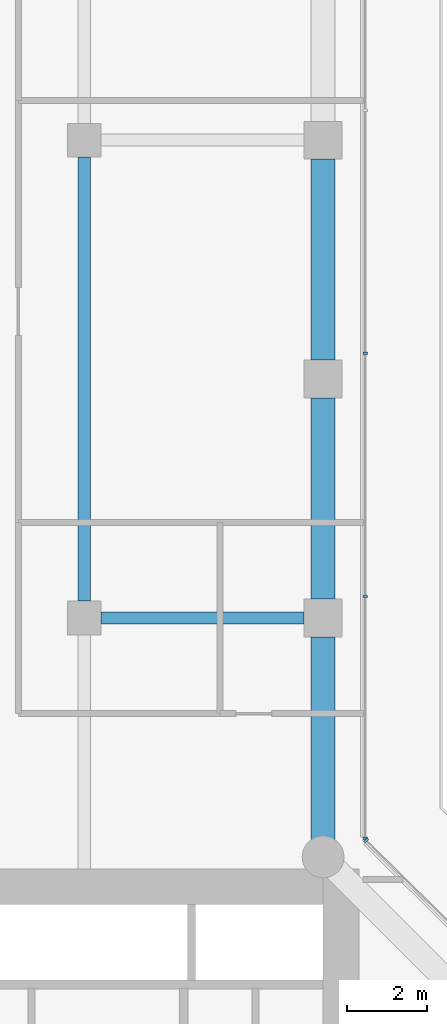
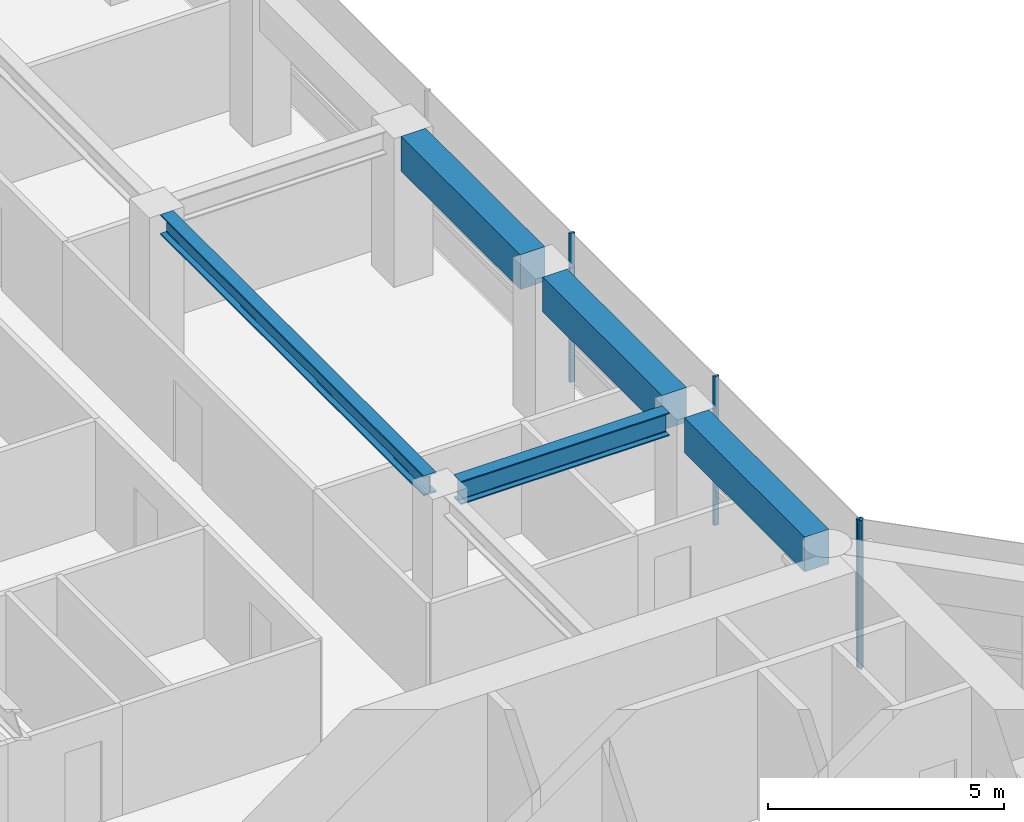
# One storey, part 13 of 28: 5 beams, 4 members, 2 elements without a shape of their own.
"""IFC4 building model written with IfcOpenShell, lengths in metres."""

import ifcopenshell
import ifcopenshell.guid

model = None  # the IFC model being written
_history = None  # IfcOwnerHistory: only IFC2X3 demands one
_inside = {}  # id of a spatial element -> (the spatial element, [elements in it])
_under = {}  # id of a project, library or spatial element -> (it, [spatial elements below it])
_declared = {}  # id of a project -> (the project, [libraries it declares])
_typed = {}  # id of a type object -> (the type object, [elements of that type])
_made_of = {}  # id of a material, layer set ... -> (it, [elements and type objects made of it])


def new_model(schema):
    """Start an empty IFC model of exactly this schema.

    Asked for "IFC4X3", IfcOpenShell would pick the latest addendum, in which some entities
    have other attributes; the version numbers below select the first issue.
    IFC2X3 requires an IfcOwnerHistory on every rooted entity: one is made here for all.
    """
    global model, _history
    if schema == "IFC4X3":
        model = ifcopenshell.file(schema_version=(4, 3, 0, 0))
    else:
        model = ifcopenshell.file(schema=schema)
    _inside.clear()
    _under.clear()
    _declared.clear()
    _typed.clear()
    _made_of.clear()
    _history = None
    if model.schema == "IFC2X3":
        org = make("IfcOrganization", Name="unknown")
        user = make(
            "IfcPersonAndOrganization",
            ThePerson=make("IfcPerson", FamilyName="unknown"),
            TheOrganization=org,
        )
        app = make(
            "IfcApplication",
            ApplicationDeveloper=org,
            Version="unknown",
            ApplicationFullName="unknown",
            ApplicationIdentifier="unknown",
        )
        _history = make(
            "IfcOwnerHistory",
            OwningUser=user,
            OwningApplication=app,
            ChangeAction="ADDED",
            CreationDate=0,
        )
    return model


def make(cls, **values):
    """One entity of the class cls with the attributes given. An attribute that is None is left unset."""
    return model.create_entity(
        cls, **{name: value for name, value in values.items() if value is not None}
    )


def rooted(cls, **values):
    """An entity with a GlobalId (a new one), such as an element, a storey or a relation."""
    return make(cls, GlobalId=ifcopenshell.guid.new(), OwnerHistory=_history, **values)


def si_unit(unit_type, name, prefix=None):
    """IfcSIUnit, for example si_unit("LENGTHUNIT", "METRE", prefix="MILLI")."""
    return make("IfcSIUnit", UnitType=unit_type, Prefix=prefix, Name=name)


def assignment(units):
    """IfcUnitAssignment: the units of a project."""
    return None if units is None else make("IfcUnitAssignment", Units=units)


def point(xyz):
    """IfcCartesianPoint."""
    return None if xyz is None else make("IfcCartesianPoint", Coordinates=xyz)


def direction(xyz):
    """IfcDirection."""
    return None if xyz is None else make("IfcDirection", DirectionRatios=xyz)


def frame(location, z_axis=None, x_axis=None):
    """IfcAxis2Placement3D, a coordinate frame: its origin and axes. An axis left out is left unset."""
    return make(
        "IfcAxis2Placement3D",
        Location=point(location),
        Axis=direction(z_axis),
        RefDirection=direction(x_axis),
    )


def frame_2d(location, x_axis=None):
    """IfcAxis2Placement2D, a coordinate frame in the plane: its origin and x axis."""
    return make(
        "IfcAxis2Placement2D", Location=point(location), RefDirection=direction(x_axis)
    )


def origin():
    """The frame at (0, 0, 0) with its axes left unset."""
    return frame((0.0, 0.0, 0.0))


def origin_2d():
    """The frame at (0, 0) in the plane with its x axis left unset."""
    return frame_2d((0.0, 0.0))


def place(relative_to, where):
    """IfcLocalPlacement: puts the frame where relative to a parent placement (None: the world)."""
    return make(
        "IfcLocalPlacement", PlacementRelTo=relative_to, RelativePlacement=where
    )


def context(
    kind, dimensions, precision=None, world=None, true_north=None, identifier=None
):
    """IfcGeometricRepresentationContext, for example the 3D "Model" context."""
    return make(
        "IfcGeometricRepresentationContext",
        ContextIdentifier=identifier,
        ContextType=kind,
        CoordinateSpaceDimension=dimensions,
        Precision=precision,
        WorldCoordinateSystem=world,
        TrueNorth=true_north,
    )


def subcontext(parent, identifier, kind, view, scale=None):
    """IfcGeometricRepresentationSubContext, for example "Body" below "Model"."""
    return make(
        "IfcGeometricRepresentationSubContext",
        ContextIdentifier=identifier,
        ContextType=kind,
        ParentContext=parent,
        TargetScale=scale,
        TargetView=view,
    )


def project(units=None, contexts=None):
    """IfcProject with its units and contexts."""
    return rooted(
        "IfcProject",
        Name="project",
        RepresentationContexts=contexts,
        UnitsInContext=assignment(units),
    )


def spatial(cls, under=None, at=None, **own):
    """A site, building, storey or space (cls), placed at a placement, below another one or the project."""
    s = rooted(cls, ObjectPlacement=at, **own)
    if under is not None:
        _under.setdefault(under.id(), (under, []))[1].append(s)
    return s


def profile(cls, at=None, kind="AREA", **sizes):
    """A parametric profile (cls). Its sizes go by their IFC names, for example OverallWidth=200.0."""
    return make(cls, ProfileType=kind, Position=at, **sizes)


def rectangle(**sizes):
    """IfcRectangleProfileDef."""
    return profile("IfcRectangleProfileDef", **sizes)


def i_section(**sizes):
    """IfcIShapeProfileDef."""
    return profile("IfcIShapeProfileDef", **sizes)


def extrude(swept, where, along, depth):
    """IfcExtrudedAreaSolid: the profile swept, set in the frame where, extruded along a direction by depth."""
    return make(
        "IfcExtrudedAreaSolid",
        SweptArea=swept,
        Position=where,
        ExtrudedDirection=direction(along),
        Depth=depth,
    )


def shape(context_of_items, identifier, shape_type, items):
    """IfcShapeRepresentation: the items that make up one representation, for example the "Body"."""
    return make(
        "IfcShapeRepresentation",
        ContextOfItems=context_of_items,
        RepresentationIdentifier=identifier,
        RepresentationType=shape_type,
        Items=items,
    )


def material(Name=None, Category=None):
    """IfcMaterial."""
    return make("IfcMaterial", Name=Name, Category=Category)


def layer(
    of_material, thickness, ventilated=None, Name=None, Category=None, Priority=None
):
    """IfcMaterialLayer: one layer of a wall or slab, of a material (None: an air gap)."""
    return make(
        "IfcMaterialLayer",
        Material=of_material,
        LayerThickness=thickness,
        IsVentilated=ventilated,
        Name=Name,
        Category=Category,
        Priority=Priority,
    )


def layer_set(layers, Name=None):
    """IfcMaterialLayerSet."""
    return make("IfcMaterialLayerSet", MaterialLayers=layers, LayerSetName=Name)


def material_profile(
    of_material, cross_section, Name=None, Category=None, Priority=None
):
    """IfcMaterialProfile: a cross section and its material."""
    return make(
        "IfcMaterialProfile",
        Name=Name,
        Material=of_material,
        Profile=cross_section,
        Priority=Priority,
        Category=Category,
    )


def profile_set(profiles, Name=None, composite=None):
    """IfcMaterialProfileSet."""
    return make(
        "IfcMaterialProfileSet",
        Name=Name,
        MaterialProfiles=profiles,
        CompositeProfile=composite,
    )


def made_of(thing, what):
    """Note that an element or type object is made of a material, layer set ...; save() writes the relation."""
    if what is not None:
        _made_of.setdefault(what.id(), (what, []))[1].append(thing)
    return thing


def type_object(cls, material=None, **own):
    """A type object (cls), such as IfcWallType, which elements share."""
    return made_of(rooted(cls, **own), material)


def element(
    cls,
    number,
    at=None,
    inside=None,
    cuts=None,
    type_object=None,
    material=None,
    context=None,
    identifier="Body",
    shape_type=None,
    held_by="IfcProductDefinitionShape",
    body=None,
    shapes=None,
    **own,
):
    """One element of the class cls, such as IfcWall. Its Tag is "e" and its number.

    at: its placement. inside: the storey or other place that contains it. cuts: it is an
    opening in that element (IfcRelVoidsElement). A single representation is given by context,
    identifier, shape_type and body (its items); several are given by shapes. held_by: the class
    of the entity that holds the representations. save() writes the other relations.
    """
    e = rooted(cls, Tag="e%d" % number, ObjectPlacement=at, **own)
    if body is not None:
        shapes = [shape(context, identifier, shape_type, body)]
    if shapes is not None:
        e.Representation = make(held_by, Representations=shapes)
    if inside is not None:
        _inside.setdefault(inside.id(), (inside, []))[1].append(e)
    if cuts is not None:
        rooted(
            "IfcRelVoidsElement", RelatingBuildingElement=cuts, RelatedOpeningElement=e
        )
    if type_object is not None:
        _typed.setdefault(type_object.id(), (type_object, []))[1].append(e)
    return made_of(e, material)


def aggregate(whole, parts):
    """IfcRelAggregates: a whole, such as a stair, and the parts it consists of."""
    return rooted("IfcRelAggregates", RelatingObject=whole, RelatedObjects=parts)


def save(model, path):
    """Write the relations noted so far, then the file.

    IfcRelAggregates (storeys below a building ...), IfcRelContainedInSpatialStructure (elements
    in a storey), IfcRelDefinesByType, IfcRelAssociatesMaterial and IfcRelDeclares: one each for
    every whole, place, type object, material and project.
    """
    for whole, parts in _under.values():
        aggregate(whole, parts)
    for where, things in _inside.values():
        rooted(
            "IfcRelContainedInSpatialStructure",
            RelatedElements=things,
            RelatingStructure=where,
        )
    for kind, things in _typed.values():
        rooted("IfcRelDefinesByType", RelatedObjects=things, RelatingType=kind)
    for what, things in _made_of.values():
        rooted("IfcRelAssociatesMaterial", RelatedObjects=things, RelatingMaterial=what)
    for by, libraries in _declared.values():
        rooted("IfcRelDeclares", RelatingContext=by, RelatedDefinitions=libraries)
    model.write(path)


model = new_model("IFC4")

# Units and contexts
model_context = context("Model", 3, precision=1e-05, world=origin(), true_north=direction((0.0, 1.0)))
body_context = subcontext(model_context, "Body", "Model", "MODEL_VIEW")
ifc_project = project(units=[si_unit("LENGTHUNIT", "METRE"), si_unit("AREAUNIT", "SQUARE_METRE"), si_unit("VOLUMEUNIT", "CUBIC_METRE"), si_unit("PLANEANGLEUNIT", "RADIAN"), si_unit("MASSUNIT", "GRAM", prefix="KILO")], contexts=[model_context])

# Site, building, storey
site_placement = place(None, origin())
site = spatial("IfcSite", under=ifc_project, at=site_placement, CompositionType="ELEMENT")
building_placement = place(site_placement, origin())
building = spatial("IfcBuilding", under=site, at=building_placement, Name="Welwitschia Terrace Campus", CompositionType="ELEMENT")
storey_placement = place(building_placement, frame((0.0, 0.0, 54.199951171875)))
storey = spatial("IfcBuildingStorey", under=building, at=storey_placement, Name="L12", CompositionType="ELEMENT", Elevation=54.199951171875)

# Beam
ifc_material_1 = material(Name="Steel S355", Category="steel")
ifc_material_profile_1 = material_profile(ifc_material_1, i_section(OverallWidth=0.305908203125, OverallDepth=0.52392578125, WebThickness=0.02099609375, FlangeThickness=0.0400390625, FilletRadius=0.027099609375, at=origin_2d()))
ifc_profile_set_1 = profile_set([ifc_material_profile_1], Name="Steel S355")
beam_type_1 = type_object("IfcBeamType", Name="Interior girder HE 500 M", PredefinedType="BEAM", material=ifc_profile_set_1)
beam_1_placement = place(storey_placement, frame((18.0, 32.425537109375, 3.588134765625), z_axis=(0.0, 1.0, 0.0), x_axis=(-1.0, 0.0, 0.0)))
element("IfcBeam", 1, at=beam_1_placement, inside=storey, type_object=beam_type_1, Name="Girder GB2", PredefinedType="BEAM", context=body_context, shape_type="SweptSolid", body=[
    extrude(i_section(OverallWidth=0.305908203125, OverallDepth=0.52392578125, WebThickness=0.02099609375, FlangeThickness=0.0400390625, FilletRadius=0.027099609375, at=origin_2d()), origin(), (0.0, 0.0, 1.0), 11.14892578125),
])

# Curtain wall, member
ifc_material_2 = material(Name="Bronze anodised aluminium", Category="aluminium")
ifc_layer = layer(ifc_material_2, 0.1201171875)
ifc_layer_set = layer_set([ifc_layer], Name="Bronze anodised aluminium")
curtain_wall_type = type_object("IfcCurtainWallType", Name="Curtain wall CW2 tower 6000", PredefinedType="NOTDEFINED", material=ifc_layer_set)
curtain_wall_1_placement = place(storey_placement, origin())
curtain_wall_1 = element("IfcCurtainWall", 2, at=curtain_wall_1_placement, inside=storey, type_object=curtain_wall_type, Name="CW L12.9.0", PredefinedType="NOTDEFINED")
ifc_material_3 = material(Name="Bronze anodised aluminium", Category="aluminium")
ifc_material_profile_2 = material_profile(ifc_material_3, rectangle(XDim=0.1201171875, YDim=0.06005859375, at=origin_2d()))
ifc_profile_set_2 = profile_set([ifc_material_profile_2], Name="Bronze anodised aluminium")
member_type = type_object("IfcMemberType", Name="Mullion 60x120", PredefinedType="MULLION", material=ifc_profile_set_2)
member_1_placement = place(storey_placement, frame((25.079345703125, 26.417236328125, 0.0), z_axis=(0.0, 0.0, 1.0), x_axis=(-0.70343270975, -0.710761860861, 0.0)))
member_1 = element("IfcMember", 3, at=member_1_placement, type_object=member_type, Name="Mullion L12.9.0.1", PredefinedType="MULLION", context=body_context, shape_type="SweptSolid", body=[
    extrude(rectangle(XDim=0.1201171875, YDim=0.06005859375, at=origin_2d()), origin(), (0.0, 0.0, 1.0), 3.85009765625),
])
aggregate(curtain_wall_1, [member_1])

# Curtain wall, members
curtain_wall_2_placement = place(storey_placement, origin())
curtain_wall_2 = element("IfcCurtainWall", 4, at=curtain_wall_2_placement, inside=storey, type_object=curtain_wall_type, Name="CW L12.10.0", PredefinedType="NOTDEFINED")
member_2_placement = place(storey_placement, frame((25.05810546875, 26.468505859375, 0.0), z_axis=(0.0, 0.0, 1.0), x_axis=(-1.0, 0.0, 0.0)))
member_2 = element("IfcMember", 5, at=member_2_placement, type_object=member_type, Name="Mullion L12.10.0.0", PredefinedType="MULLION", context=body_context, shape_type="SweptSolid", body=[
    extrude(rectangle(XDim=0.1201171875, YDim=0.06005859375, at=origin_2d()), origin(), (0.0, 0.0, 1.0), 3.85009765625),
])
member_3_placement = place(storey_placement, frame((25.05810546875, 32.541748046875, 0.0), z_axis=(0.0, 0.0, 1.0), x_axis=(-1.0, 0.0, 0.0)))
member_3 = element("IfcMember", 6, at=member_3_placement, type_object=member_type, Name="Mullion L12.10.0.1", PredefinedType="MULLION", context=body_context, shape_type="SweptSolid", body=[
    extrude(rectangle(XDim=0.1201171875, YDim=0.06005859375, at=origin_2d()), origin(), (0.0, 0.0, 1.0), 3.85009765625),
])
member_4_placement = place(storey_placement, frame((25.05810546875, 38.64501953125, 0.0), z_axis=(0.0, 0.0, 1.0), x_axis=(-1.0, 0.0, 0.0)))
member_4 = element("IfcMember", 7, at=member_4_placement, type_object=member_type, Name="Mullion L12.10.0.2", PredefinedType="MULLION", context=body_context, shape_type="SweptSolid", body=[
    extrude(rectangle(XDim=0.1201171875, YDim=0.06005859375, at=origin_2d()), origin(), (0.0, 0.0, 1.0), 3.85009765625),
])
aggregate(curtain_wall_2, [member_2, member_3, member_4])

# Beams
ifc_material_4 = material(Name="Steel S355", Category="steel")
ifc_material_profile_3 = material_profile(ifc_material_4, i_section(OverallWidth=0.300048828125, OverallDepth=0.60009765625, WebThickness=0.015380859375, FlangeThickness=0.030029296875, FilletRadius=0.027099609375, at=origin_2d()))
ifc_profile_set_3 = profile_set([ifc_material_profile_3], Name="Steel S355")
beam_type_2 = type_object("IfcBeamType", Name="Primary beam HE 600 B", PredefinedType="BEAM", material=ifc_profile_set_3)
beam_2_placement = place(storey_placement, frame((23.5244140625, 32.0, 3.550048828125), z_axis=(-1.0, 0.0, 0.0), x_axis=(0.0, -1.0, 0.0)))
element("IfcBeam", 8, at=beam_2_placement, inside=storey, type_object=beam_type_2, Name="Primary beam PB2", PredefinedType="BEAM", context=body_context, shape_type="SweptSolid", body=[
    extrude(i_section(OverallWidth=0.300048828125, OverallDepth=0.60009765625, WebThickness=0.015380859375, FlangeThickness=0.030029296875, FilletRadius=0.027099609375, at=origin_2d()), origin(), (0.0, 0.0, 1.0), 5.098876953125),
])
ifc_material_5 = material(Name="Concrete C60/75", Category="concrete")
ifc_material_profile_4 = material_profile(ifc_material_5, rectangle(XDim=0.60009765625, YDim=0.89990234375, at=origin_2d()))
ifc_profile_set_4 = profile_set([ifc_material_profile_4], Name="Concrete C60/75")
beam_type_3 = type_object("IfcBeamType", Name="Ring spandrel 600x900", PredefinedType="SPANDREL", material=ifc_profile_set_4)
beam_3_placement = place(storey_placement, frame((24.0, 26.431396484375, 3.400146484375), z_axis=(0.0, 1.0, 0.0), x_axis=(-1.0, 0.0, 0.0)))
element("IfcBeam", 9, at=beam_3_placement, inside=storey, type_object=beam_type_3, Name="Spandrel SP2", PredefinedType="SPANDREL", context=body_context, shape_type="SweptSolid", body=[
    extrude(rectangle(XDim=0.60009765625, YDim=0.89990234375, at=origin_2d()), origin(), (0.0, 0.0, 1.0), 5.093017578125),
])
for number, where, z_axis, x_axis, name in (
    (10, (24.0, 32.4755859375, 3.400146484375), (0.0, 1.0, 0.0), (-1.0, 0.0, 0.0), "Spandrel SP2"),
    (11, (24.0, 38.4755859375, 3.400146484375), (0.0, 1.0, 0.0), (-1.0, 0.0, 0.0), "Spandrel SP2"),
):
    element("IfcBeam", number, at=place(storey_placement, frame(where, z_axis=z_axis, x_axis=x_axis)), inside=storey, type_object=beam_type_3, Name=name, PredefinedType="SPANDREL", context=body_context, shape_type="SweptSolid", body=[
        extrude(rectangle(XDim=0.60009765625, YDim=0.89990234375, at=origin_2d()), origin(), (0.0, 0.0, 1.0), 5.048828125),
    ])

save(model, "model.ifc")
